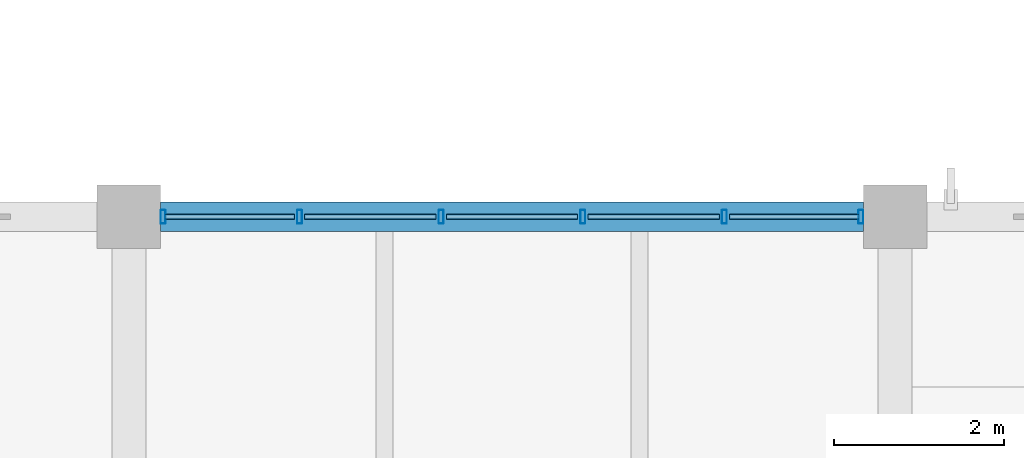
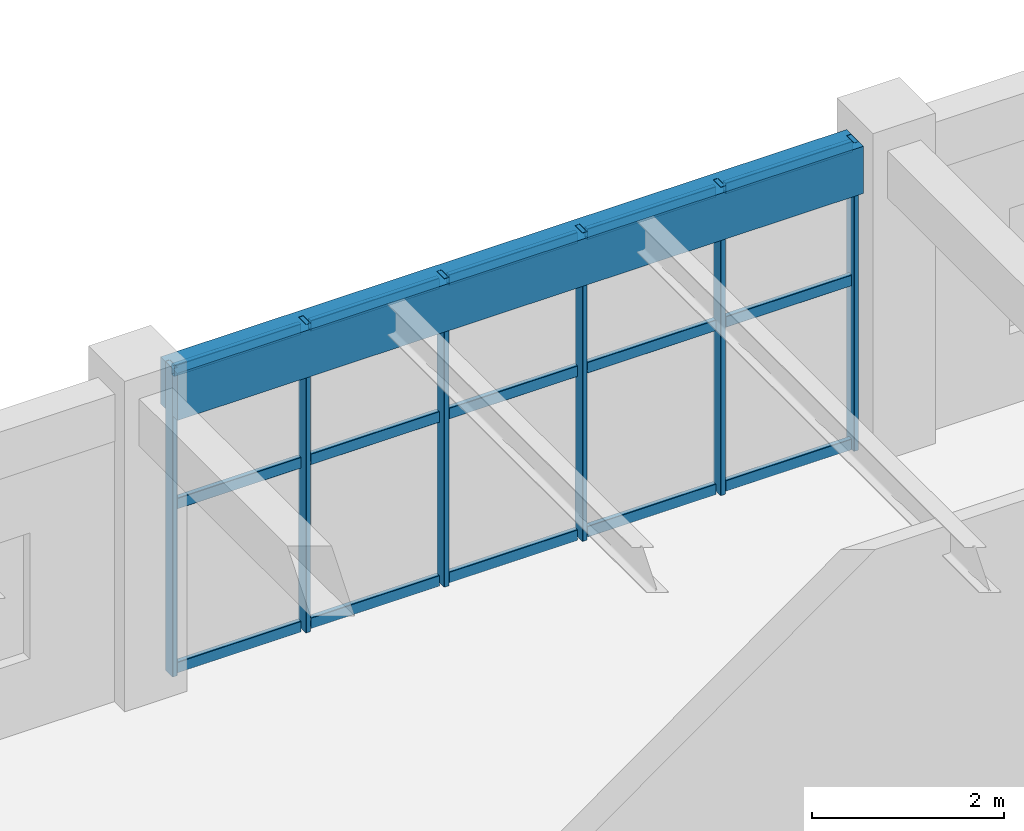
# One storey, part 45 of 148: 21 members, 1 beam, 1 element without a shape of its own.
"""IFC4 building model written with IfcOpenShell, lengths in metres."""

from ifc_helpers import new_model, si_unit, derived_unit, direction, frame, origin, origin_2d, place, context, subcontext, project, spatial, rectangle, hollow_rectangle, extrude, material, material_profile, profile_set, type_object, element, aggregate, save


model = new_model("IFC4")

# Units and contexts
model_context = context("Model", 3, precision=1e-05, world=origin(), true_north=direction((0.0, 1.0)))
body_context = subcontext(model_context, "Body", "Model", "MODEL_VIEW")
ifc_project = project(units=[si_unit("LENGTHUNIT", "METRE"), si_unit("AREAUNIT", "SQUARE_METRE"), si_unit("VOLUMEUNIT", "CUBIC_METRE"), si_unit("PLANEANGLEUNIT", "RADIAN"), si_unit("MASSUNIT", "GRAM", prefix="KILO"), derived_unit("THERMALTRANSMITTANCEUNIT", [(si_unit("MASSUNIT", "GRAM", prefix="KILO"), 1), (si_unit("TIMEUNIT", "SECOND"), -3), (si_unit("THERMODYNAMICTEMPERATUREUNIT", "KELVIN"), -1)])], contexts=[model_context])

# Site, building, storey
site_placement = place(None, origin())
site = spatial("IfcSite", under=ifc_project, at=site_placement, CompositionType="ELEMENT")
building_placement = place(site_placement, origin())
building = spatial("IfcBuilding", under=site, at=building_placement, Name="Zhenchuan Archway Interchange", CompositionType="ELEMENT")
storey_placement = place(building_placement, frame((0.0, 0.0, 10.199951171875)))
storey = spatial("IfcBuildingStorey", under=building, at=storey_placement, Name="L02", CompositionType="ELEMENT", Elevation=10.199951171875)

# Curtain wall, members
ifc_material_1 = material(Name="Anodised Aluminium", Category="aluminium")
curtain_wall_type = type_object("IfcCurtainWallType", Name="CW_UNIT_2", PredefinedType="NOTDEFINED", material=ifc_material_1)
curtain_wall_placement = place(storey_placement, origin())
curtain_wall = element("IfcCurtainWall", 1, at=curtain_wall_placement, inside=storey, type_object=curtain_wall_type, Name="Unitised curtain wall CW:L02:161", PredefinedType="NOTDEFINED")
ifc_material_profile_1 = material_profile(ifc_material_1, hollow_rectangle(XDim=0.06005859375, YDim=0.159912109375, WallThickness=0.00390625, InnerFilletRadius=0.00390625, OuterFilletRadius=0.008056640625, at=origin_2d()), Name="ALU 160x60x4")
ifc_profile_set_1 = profile_set([ifc_material_profile_1], Name="Anodised Aluminium")
member_type_1 = type_object("IfcMemberType", Name="CW_MUL_150", PredefinedType="MULLION", material=ifc_profile_set_1)
member_1_placement = place(storey_placement, frame((117.403076171875, 24.0, 0.0), z_axis=(0.0, 0.0, 1.0), x_axis=(1.0, 0.0, 0.0)))
member_1 = element("IfcMember", 2, at=member_1_placement, type_object=member_type_1, Name="CW:L02:161 mullion 0", PredefinedType="MULLION", context=body_context, shape_type="SweptSolid", body=[
    extrude(hollow_rectangle(XDim=0.06005859375, YDim=0.159912109375, WallThickness=0.00390625, InnerFilletRadius=0.00390625, OuterFilletRadius=0.008056640625, at=origin_2d()), origin(), (0.0, 0.0, 1.0), 3.920166015625),
])
member_2_placement = place(storey_placement, frame((119.005859375, 24.0, 0.0), z_axis=(0.0, 0.0, 1.0), x_axis=(1.0, 0.0, 0.0)))
member_2 = element("IfcMember", 3, at=member_2_placement, type_object=member_type_1, Name="CW:L02:161 mullion 1", PredefinedType="MULLION", context=body_context, shape_type="SweptSolid", body=[
    extrude(hollow_rectangle(XDim=0.06005859375, YDim=0.159912109375, WallThickness=0.00390625, InnerFilletRadius=0.00390625, OuterFilletRadius=0.008056640625, at=origin_2d()), origin(), (0.0, 0.0, 1.0), 3.920166015625),
])
member_3_placement = place(storey_placement, frame((120.668701171875, 24.0, 0.0), z_axis=(0.0, 0.0, 1.0), x_axis=(1.0, 0.0, 0.0)))
member_3 = element("IfcMember", 4, at=member_3_placement, type_object=member_type_1, Name="CW:L02:161 mullion 2", PredefinedType="MULLION", context=body_context, shape_type="SweptSolid", body=[
    extrude(hollow_rectangle(XDim=0.06005859375, YDim=0.159912109375, WallThickness=0.00390625, InnerFilletRadius=0.00390625, OuterFilletRadius=0.008056640625, at=origin_2d()), origin(), (0.0, 0.0, 1.0), 3.920166015625),
])
member_4_placement = place(storey_placement, frame((122.331298828125, 24.0, 0.0), z_axis=(0.0, 0.0, 1.0), x_axis=(1.0, 0.0, 0.0)))
member_4 = element("IfcMember", 5, at=member_4_placement, type_object=member_type_1, Name="CW:L02:161 mullion 3", PredefinedType="MULLION", context=body_context, shape_type="SweptSolid", body=[
    extrude(hollow_rectangle(XDim=0.06005859375, YDim=0.159912109375, WallThickness=0.00390625, InnerFilletRadius=0.00390625, OuterFilletRadius=0.008056640625, at=origin_2d()), origin(), (0.0, 0.0, 1.0), 3.920166015625),
])
member_5_placement = place(storey_placement, frame((123.994140625, 24.0, 0.0), z_axis=(0.0, 0.0, 1.0), x_axis=(1.0, 0.0, 0.0)))
member_5 = element("IfcMember", 6, at=member_5_placement, type_object=member_type_1, Name="CW:L02:161 mullion 4", PredefinedType="MULLION", context=body_context, shape_type="SweptSolid", body=[
    extrude(hollow_rectangle(XDim=0.06005859375, YDim=0.159912109375, WallThickness=0.00390625, InnerFilletRadius=0.00390625, OuterFilletRadius=0.008056640625, at=origin_2d()), origin(), (0.0, 0.0, 1.0), 3.920166015625),
])
member_6_placement = place(storey_placement, frame((125.596923828125, 24.0, 0.0), z_axis=(0.0, 0.0, 1.0), x_axis=(1.0, 0.0, 0.0)))
member_6 = element("IfcMember", 7, at=member_6_placement, type_object=member_type_1, Name="CW:L02:161 mullion 5", PredefinedType="MULLION", context=body_context, shape_type="SweptSolid", body=[
    extrude(hollow_rectangle(XDim=0.06005859375, YDim=0.159912109375, WallThickness=0.00390625, InnerFilletRadius=0.00390625, OuterFilletRadius=0.008056640625, at=origin_2d()), origin(), (0.0, 0.0, 1.0), 3.920166015625),
])
ifc_material_profile_2 = material_profile(ifc_material_1, hollow_rectangle(XDim=0.06005859375, YDim=0.139892578125, WallThickness=0.00341796875, InnerFilletRadius=0.00341796875, OuterFilletRadius=0.007080078125, at=origin_2d()), Name="ALU 140x60x3.5")
ifc_profile_set_2 = profile_set([ifc_material_profile_2], Name="Anodised Aluminium")
member_type_2 = type_object("IfcMemberType", Name="CW_TRN_140", PredefinedType="USERDEFINED", material=ifc_profile_set_2)
member_7_placement = place(storey_placement, frame((117.423095703125, 24.0, 0.06005859375), z_axis=(1.0, 0.0, 0.0), x_axis=(0.0, 1.0, 0.0)))
member_7 = element("IfcMember", 8, at=member_7_placement, type_object=member_type_2, Name="CW:L02:161 transom 0-1", ObjectType="TRANSOM", PredefinedType="USERDEFINED", context=body_context, shape_type="SweptSolid", body=[
    extrude(hollow_rectangle(XDim=0.06005859375, YDim=0.139892578125, WallThickness=0.00341796875, InnerFilletRadius=0.00341796875, OuterFilletRadius=0.007080078125, at=origin_2d()), origin(), (0.0, 0.0, 1.0), 1.522705078125),
])
member_8_placement = place(storey_placement, frame((117.423095703125, 24.0, 2.14501953125), z_axis=(1.0, 0.0, 0.0), x_axis=(0.0, 1.0, 0.0)))
member_8 = element("IfcMember", 9, at=member_8_placement, type_object=member_type_2, Name="CW:L02:161 transom 0-2", ObjectType="TRANSOM", PredefinedType="USERDEFINED", context=body_context, shape_type="SweptSolid", body=[
    extrude(hollow_rectangle(XDim=0.06005859375, YDim=0.139892578125, WallThickness=0.00341796875, InnerFilletRadius=0.00341796875, OuterFilletRadius=0.007080078125, at=origin_2d()), origin(), (0.0, 0.0, 1.0), 1.522705078125),
])
member_9_placement = place(storey_placement, frame((117.423095703125, 24.0, 3.840087890625), z_axis=(1.0, 0.0, 0.0), x_axis=(0.0, 1.0, 0.0)))
member_9 = element("IfcMember", 10, at=member_9_placement, type_object=member_type_2, Name="CW:L02:161 transom 0-3", ObjectType="TRANSOM", PredefinedType="USERDEFINED", context=body_context, shape_type="SweptSolid", body=[
    extrude(hollow_rectangle(XDim=0.06005859375, YDim=0.139892578125, WallThickness=0.00341796875, InnerFilletRadius=0.00341796875, OuterFilletRadius=0.007080078125, at=origin_2d()), origin(), (0.0, 0.0, 1.0), 1.522705078125),
])
member_10_placement = place(storey_placement, frame((119.06591796875, 24.0, 0.06005859375), z_axis=(1.0, 0.0, 0.0), x_axis=(0.0, 1.0, 0.0)))
member_10 = element("IfcMember", 11, at=member_10_placement, type_object=member_type_2, Name="CW:L02:161 transom 1-1", ObjectType="TRANSOM", PredefinedType="USERDEFINED", context=body_context, shape_type="SweptSolid", body=[
    extrude(hollow_rectangle(XDim=0.06005859375, YDim=0.139892578125, WallThickness=0.00341796875, InnerFilletRadius=0.00341796875, OuterFilletRadius=0.007080078125, at=origin_2d()), origin(), (0.0, 0.0, 1.0), 1.542724609375),
])
member_11_placement = place(storey_placement, frame((119.06591796875, 24.0, 2.14501953125), z_axis=(1.0, 0.0, 0.0), x_axis=(0.0, 1.0, 0.0)))
member_11 = element("IfcMember", 12, at=member_11_placement, type_object=member_type_2, Name="CW:L02:161 transom 1-2", ObjectType="TRANSOM", PredefinedType="USERDEFINED", context=body_context, shape_type="SweptSolid", body=[
    extrude(hollow_rectangle(XDim=0.06005859375, YDim=0.139892578125, WallThickness=0.00341796875, InnerFilletRadius=0.00341796875, OuterFilletRadius=0.007080078125, at=origin_2d()), origin(), (0.0, 0.0, 1.0), 1.542724609375),
])
member_12_placement = place(storey_placement, frame((119.06591796875, 24.0, 3.840087890625), z_axis=(1.0, 0.0, 0.0), x_axis=(0.0, 1.0, 0.0)))
member_12 = element("IfcMember", 13, at=member_12_placement, type_object=member_type_2, Name="CW:L02:161 transom 1-3", ObjectType="TRANSOM", PredefinedType="USERDEFINED", context=body_context, shape_type="SweptSolid", body=[
    extrude(hollow_rectangle(XDim=0.06005859375, YDim=0.139892578125, WallThickness=0.00341796875, InnerFilletRadius=0.00341796875, OuterFilletRadius=0.007080078125, at=origin_2d()), origin(), (0.0, 0.0, 1.0), 1.542724609375),
])
member_13_placement = place(storey_placement, frame((120.728515625, 24.0, 0.06005859375), z_axis=(1.0, 0.0, 0.0), x_axis=(0.0, 1.0, 0.0)))
member_13 = element("IfcMember", 14, at=member_13_placement, type_object=member_type_2, Name="CW:L02:161 transom 2-1", ObjectType="TRANSOM", PredefinedType="USERDEFINED", context=body_context, shape_type="SweptSolid", body=[
    extrude(hollow_rectangle(XDim=0.06005859375, YDim=0.139892578125, WallThickness=0.00341796875, InnerFilletRadius=0.00341796875, OuterFilletRadius=0.007080078125, at=origin_2d()), origin(), (0.0, 0.0, 1.0), 1.54296875),
])
member_14_placement = place(storey_placement, frame((120.728515625, 24.0, 2.14501953125), z_axis=(1.0, 0.0, 0.0), x_axis=(0.0, 1.0, 0.0)))
member_14 = element("IfcMember", 15, at=member_14_placement, type_object=member_type_2, Name="CW:L02:161 transom 2-2", ObjectType="TRANSOM", PredefinedType="USERDEFINED", context=body_context, shape_type="SweptSolid", body=[
    extrude(hollow_rectangle(XDim=0.06005859375, YDim=0.139892578125, WallThickness=0.00341796875, InnerFilletRadius=0.00341796875, OuterFilletRadius=0.007080078125, at=origin_2d()), origin(), (0.0, 0.0, 1.0), 1.54296875),
])
member_15_placement = place(storey_placement, frame((120.728515625, 24.0, 3.840087890625), z_axis=(1.0, 0.0, 0.0), x_axis=(0.0, 1.0, 0.0)))
member_15 = element("IfcMember", 16, at=member_15_placement, type_object=member_type_2, Name="CW:L02:161 transom 2-3", ObjectType="TRANSOM", PredefinedType="USERDEFINED", context=body_context, shape_type="SweptSolid", body=[
    extrude(hollow_rectangle(XDim=0.06005859375, YDim=0.139892578125, WallThickness=0.00341796875, InnerFilletRadius=0.00341796875, OuterFilletRadius=0.007080078125, at=origin_2d()), origin(), (0.0, 0.0, 1.0), 1.54296875),
])
member_16_placement = place(storey_placement, frame((122.391357421875, 24.0, 0.06005859375), z_axis=(1.0, 0.0, 0.0), x_axis=(0.0, 1.0, 0.0)))
member_16 = element("IfcMember", 17, at=member_16_placement, type_object=member_type_2, Name="CW:L02:161 transom 3-1", ObjectType="TRANSOM", PredefinedType="USERDEFINED", context=body_context, shape_type="SweptSolid", body=[
    extrude(hollow_rectangle(XDim=0.06005859375, YDim=0.139892578125, WallThickness=0.00341796875, InnerFilletRadius=0.00341796875, OuterFilletRadius=0.007080078125, at=origin_2d()), origin(), (0.0, 0.0, 1.0), 1.542724609375),
])
member_17_placement = place(storey_placement, frame((122.391357421875, 24.0, 2.14501953125), z_axis=(1.0, 0.0, 0.0), x_axis=(0.0, 1.0, 0.0)))
member_17 = element("IfcMember", 18, at=member_17_placement, type_object=member_type_2, Name="CW:L02:161 transom 3-2", ObjectType="TRANSOM", PredefinedType="USERDEFINED", context=body_context, shape_type="SweptSolid", body=[
    extrude(hollow_rectangle(XDim=0.06005859375, YDim=0.139892578125, WallThickness=0.00341796875, InnerFilletRadius=0.00341796875, OuterFilletRadius=0.007080078125, at=origin_2d()), origin(), (0.0, 0.0, 1.0), 1.542724609375),
])
member_18_placement = place(storey_placement, frame((122.391357421875, 24.0, 3.840087890625), z_axis=(1.0, 0.0, 0.0), x_axis=(0.0, 1.0, 0.0)))
member_18 = element("IfcMember", 19, at=member_18_placement, type_object=member_type_2, Name="CW:L02:161 transom 3-3", ObjectType="TRANSOM", PredefinedType="USERDEFINED", context=body_context, shape_type="SweptSolid", body=[
    extrude(hollow_rectangle(XDim=0.06005859375, YDim=0.139892578125, WallThickness=0.00341796875, InnerFilletRadius=0.00341796875, OuterFilletRadius=0.007080078125, at=origin_2d()), origin(), (0.0, 0.0, 1.0), 1.542724609375),
])
member_19_placement = place(storey_placement, frame((124.05419921875, 24.0, 0.06005859375), z_axis=(1.0, 0.0, 0.0), x_axis=(0.0, 1.0, 0.0)))
member_19 = element("IfcMember", 20, at=member_19_placement, type_object=member_type_2, Name="CW:L02:161 transom 4-1", ObjectType="TRANSOM", PredefinedType="USERDEFINED", context=body_context, shape_type="SweptSolid", body=[
    extrude(hollow_rectangle(XDim=0.06005859375, YDim=0.139892578125, WallThickness=0.00341796875, InnerFilletRadius=0.00341796875, OuterFilletRadius=0.007080078125, at=origin_2d()), origin(), (0.0, 0.0, 1.0), 1.522705078125),
])
member_20_placement = place(storey_placement, frame((124.05419921875, 24.0, 2.14501953125), z_axis=(1.0, 0.0, 0.0), x_axis=(0.0, 1.0, 0.0)))
member_20 = element("IfcMember", 21, at=member_20_placement, type_object=member_type_2, Name="CW:L02:161 transom 4-2", ObjectType="TRANSOM", PredefinedType="USERDEFINED", context=body_context, shape_type="SweptSolid", body=[
    extrude(hollow_rectangle(XDim=0.06005859375, YDim=0.139892578125, WallThickness=0.00341796875, InnerFilletRadius=0.00341796875, OuterFilletRadius=0.007080078125, at=origin_2d()), origin(), (0.0, 0.0, 1.0), 1.522705078125),
])
member_21_placement = place(storey_placement, frame((124.05419921875, 24.0, 3.840087890625), z_axis=(1.0, 0.0, 0.0), x_axis=(0.0, 1.0, 0.0)))
member_21 = element("IfcMember", 22, at=member_21_placement, type_object=member_type_2, Name="CW:L02:161 transom 4-3", ObjectType="TRANSOM", PredefinedType="USERDEFINED", context=body_context, shape_type="SweptSolid", body=[
    extrude(hollow_rectangle(XDim=0.06005859375, YDim=0.139892578125, WallThickness=0.00341796875, InnerFilletRadius=0.00341796875, OuterFilletRadius=0.007080078125, at=origin_2d()), origin(), (0.0, 0.0, 1.0), 1.522705078125),
])
aggregate(curtain_wall, [member_1, member_2, member_3, member_4, member_5, member_6, member_7, member_8, member_9, member_10, member_11, member_12, member_13, member_14, member_15, member_16, member_17, member_18, member_19, member_20, member_21])

# Beam
ifc_material_2 = material(Name="Concrete C40", Category="concrete")
ifc_material_profile_3 = material_profile(ifc_material_2, rectangle(XDim=0.35009765625, YDim=0.60009765625, at=origin_2d()), Name="RC 350x600")
ifc_profile_set_3 = profile_set([ifc_material_profile_3], Name="Concrete C40")
beam_type = type_object("IfcBeamType", Name="SP_RC_350x600", PredefinedType="SPANDREL", material=ifc_profile_set_3)
beam_placement = place(storey_placement, frame((117.375, 24.0, 3.6201171875), z_axis=(1.0, 0.0, 0.0), x_axis=(0.0, 1.0, 0.0)))
element("IfcBeam", 23, at=beam_placement, inside=storey, type_object=beam_type, Name="Beam D:14-15 (L02)", PredefinedType="SPANDREL", context=body_context, shape_type="SweptSolid", body=[
    extrude(rectangle(XDim=0.35009765625, YDim=0.60009765625, at=origin_2d()), origin(), (0.0, 0.0, 1.0), 8.25),
])

save(model, "model.ifc")
